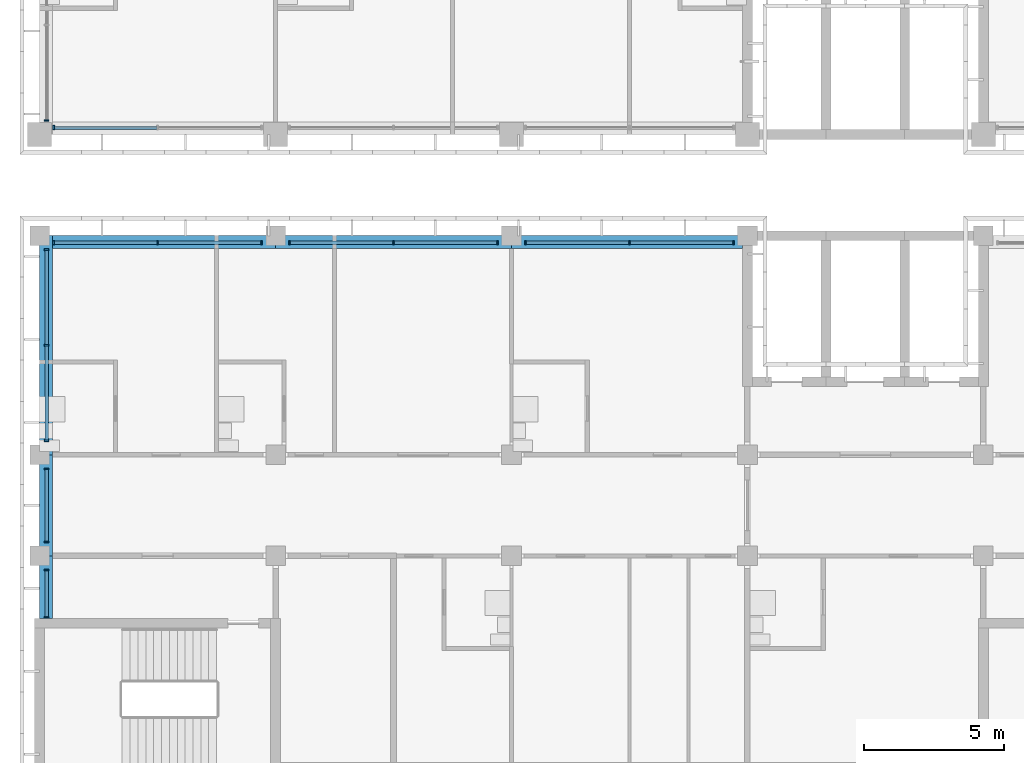
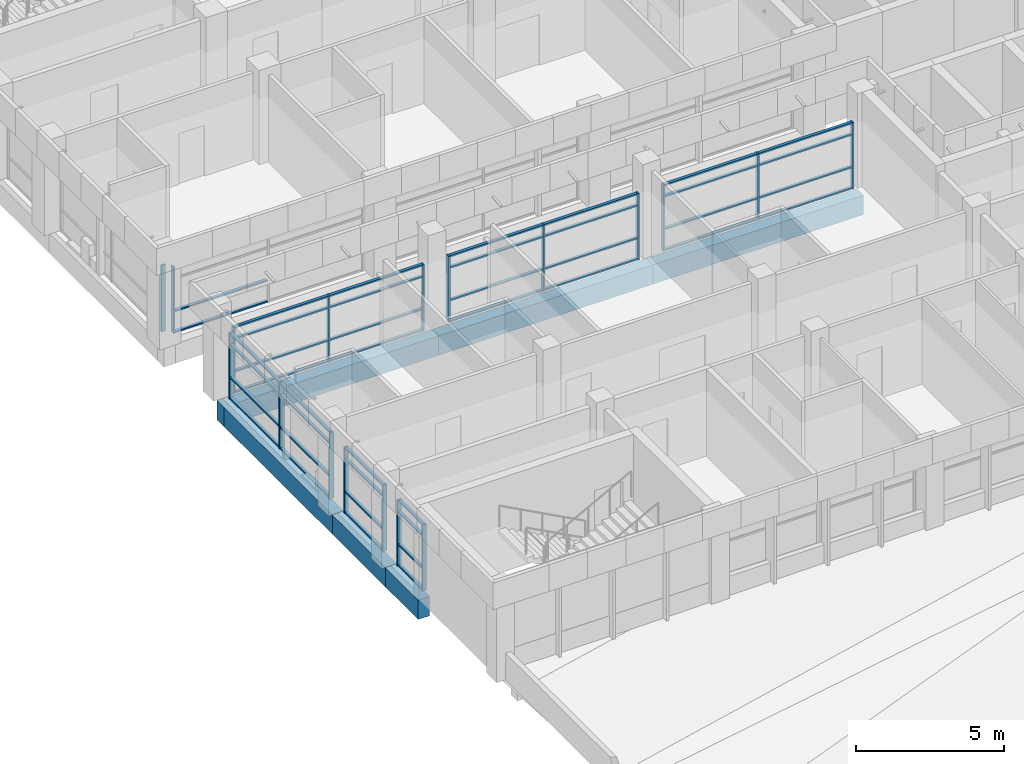
# One storey, part 4 of 74: 60 members, 6 beams, 8 elements without a shape of their own.
"""IFC4 building model written with IfcOpenShell, lengths in metres."""

from ifc_helpers import new_model, si_unit, direction, frame, origin, origin_2d, place, context, subcontext, project, spatial, rectangle, extrude, material, material_profile, profile_set, type_object, element, aggregate, save


model = new_model("IFC4")

# Units and contexts
model_context = context("Model", 3, precision=1e-05, world=origin(), true_north=direction((0.0, 1.0)))
body_context = subcontext(model_context, "Body", "Model", "MODEL_VIEW")
ifc_project = project(units=[si_unit("LENGTHUNIT", "METRE"), si_unit("AREAUNIT", "SQUARE_METRE"), si_unit("VOLUMEUNIT", "CUBIC_METRE"), si_unit("PLANEANGLEUNIT", "RADIAN"), si_unit("MASSUNIT", "GRAM", prefix="KILO")], contexts=[model_context])

# Site, building, storey
site_placement = place(None, origin())
site = spatial("IfcSite", under=ifc_project, at=site_placement, CompositionType="ELEMENT")
building_placement = place(site_placement, origin())
building = spatial("IfcBuilding", under=site, at=building_placement, Name="Bougainvillea Quay General Hospital", CompositionType="ELEMENT")
storey_placement = place(building_placement, frame((0.0, 0.0, 21.0)))
storey = spatial("IfcBuildingStorey", under=building, at=storey_placement, Name="L04", CompositionType="ELEMENT", Elevation=21.0)

# Curtain wall, member
ifc_material_1 = material(Name="Aluminium curtain wall system, powder-coated glazed", Category="aluminium")
curtain_wall_type_1 = type_object("IfcCurtainWallType", Name="Unitised curtain wall CW-3430", PredefinedType="NOTDEFINED", material=ifc_material_1)
curtain_wall_1_placement = place(storey_placement, origin())
curtain_wall_1 = element("IfcCurtainWall", 1, at=curtain_wall_1_placement, inside=storey, type_object=curtain_wall_type_1, Name="CW-4200 02", PredefinedType="NOTDEFINED")
ifc_material_2 = material(Name="Aluminium mullion, powder-coated charcoal", Category="aluminium")
ifc_material_profile_1 = material_profile(ifc_material_2, rectangle(XDim=0.159912109375, YDim=0.06005859375, at=origin_2d()))
ifc_profile_set_1 = profile_set([ifc_material_profile_1], Name="Aluminium mullion, powder-coated charcoal")
member_type_1 = type_object("IfcMemberType", Name="Curtain wall mullion 160x60", PredefinedType="MULLION", material=ifc_profile_set_1)
member_1_placement = place(storey_placement, frame((42.25, 140.89990234375, 0.0), z_axis=(0.0, 0.0, 1.0), x_axis=(1.0, 0.0, 0.0)))
member_1 = element("IfcMember", 2, at=member_1_placement, type_object=member_type_1, Name="CW-4200 mullion 3", PredefinedType="MULLION", context=body_context, shape_type="SweptSolid", body=[
    extrude(rectangle(XDim=0.159912109375, YDim=0.06005859375, at=origin_2d()), origin(), (0.0, 0.0, 1.0), 2.75),
])
aggregate(curtain_wall_1, [member_1])

curtain_wall_type_2 = type_object("IfcCurtainWallType", Name="Unitised curtain wall CW-3730", PredefinedType="NOTDEFINED", material=ifc_material_1)
curtain_wall_2_placement = place(storey_placement, origin())
curtain_wall_2 = element("IfcCurtainWall", 3, at=curtain_wall_2_placement, inside=storey, type_object=curtain_wall_type_2, Name="CW-4200 00", PredefinedType="NOTDEFINED")
member_2_placement = place(storey_placement, frame((42.5, 140.64990234375, 0.0), z_axis=(0.0, 0.0, 1.0), x_axis=(0.0, 1.0, 0.0)))
member_2 = element("IfcMember", 4, at=member_2_placement, type_object=member_type_1, Name="CW-4200 mullion 1", PredefinedType="MULLION", context=body_context, shape_type="SweptSolid", body=[
    extrude(rectangle(XDim=0.159912109375, YDim=0.06005859375, at=origin_2d()), origin(), (0.0, 0.0, 1.0), 2.75),
])

# Curtain wall, members
curtain_wall_3_placement = place(storey_placement, origin())
curtain_wall_3 = element("IfcCurtainWall", 5, at=curtain_wall_3_placement, inside=storey, type_object=curtain_wall_type_1, Name="CW-4200 00", PredefinedType="NOTDEFINED")
member_3_placement = place(storey_placement, frame((42.25, 136.300048828125, 0.0), z_axis=(0.0, 0.0, 1.0), x_axis=(1.0, 0.0, 0.0)))
member_3 = element("IfcMember", 6, at=member_3_placement, type_object=member_type_1, Name="CW-4200 mullion 1", PredefinedType="MULLION", context=body_context, shape_type="SweptSolid", body=[
    extrude(rectangle(XDim=0.159912109375, YDim=0.06005859375, at=origin_2d()), origin(), (0.0, 0.0, 1.0), 2.75),
])
member_4_placement = place(storey_placement, frame((42.25, 132.89990234375, 0.0), z_axis=(0.0, 0.0, 1.0), x_axis=(1.0, 0.0, 0.0)))
member_4 = element("IfcMember", 7, at=member_4_placement, type_object=member_type_1, Name="CW-4200 mullion 2", PredefinedType="MULLION", context=body_context, shape_type="SweptSolid", body=[
    extrude(rectangle(XDim=0.159912109375, YDim=0.06005859375, at=origin_2d()), origin(), (0.0, 0.0, 1.0), 2.75),
])
member_5_placement = place(storey_placement, frame((42.25, 129.5, 0.0), z_axis=(0.0, 0.0, 1.0), x_axis=(1.0, 0.0, 0.0)))
member_5 = element("IfcMember", 8, at=member_5_placement, type_object=member_type_1, Name="CW-4200 mullion 3", PredefinedType="MULLION", context=body_context, shape_type="SweptSolid", body=[
    extrude(rectangle(XDim=0.159912109375, YDim=0.06005859375, at=origin_2d()), origin(), (0.0, 0.0, 1.0), 2.75),
])

curtain_wall_type_3 = type_object("IfcCurtainWallType", Name="Unitised curtain wall CW-2660", PredefinedType="NOTDEFINED", material=ifc_material_1)
curtain_wall_4_placement = place(storey_placement, origin())
curtain_wall_4 = element("IfcCurtainWall", 9, at=curtain_wall_4_placement, inside=storey, type_object=curtain_wall_type_3, Name="CW-4200 01", PredefinedType="NOTDEFINED")
member_6_placement = place(storey_placement, frame((42.25, 128.5, 0.0), z_axis=(0.0, 0.0, 1.0), x_axis=(1.0, 0.0, 0.0)))
member_6 = element("IfcMember", 10, at=member_6_placement, type_object=member_type_1, Name="CW-4200 mullion 1", PredefinedType="MULLION", context=body_context, shape_type="SweptSolid", body=[
    extrude(rectangle(XDim=0.159912109375, YDim=0.06005859375, at=origin_2d()), origin(), (0.0, 0.0, 1.0), 2.75),
])
member_7_placement = place(storey_placement, frame((42.25, 125.89990234375, 0.0), z_axis=(0.0, 0.0, 1.0), x_axis=(1.0, 0.0, 0.0)))
member_7 = element("IfcMember", 11, at=member_7_placement, type_object=member_type_1, Name="CW-4200 mullion 2", PredefinedType="MULLION", context=body_context, shape_type="SweptSolid", body=[
    extrude(rectangle(XDim=0.159912109375, YDim=0.06005859375, at=origin_2d()), origin(), (0.0, 0.0, 1.0), 2.75),
])

curtain_wall_type_4 = type_object("IfcCurtainWallType", Name="Unitised curtain wall CW-1755", PredefinedType="NOTDEFINED", material=ifc_material_1)
curtain_wall_5_placement = place(storey_placement, origin())
curtain_wall_5 = element("IfcCurtainWall", 12, at=curtain_wall_5_placement, inside=storey, type_object=curtain_wall_type_4, Name="CW-4200 02", PredefinedType="NOTDEFINED")
member_8_placement = place(storey_placement, frame((42.25, 124.89990234375, 0.0), z_axis=(0.0, 0.0, 1.0), x_axis=(1.0, 0.0, 0.0)))
member_8 = element("IfcMember", 13, at=member_8_placement, type_object=member_type_1, Name="CW-4200 mullion 1", PredefinedType="MULLION", context=body_context, shape_type="SweptSolid", body=[
    extrude(rectangle(XDim=0.159912109375, YDim=0.06005859375, at=origin_2d()), origin(), (0.0, 0.0, 1.0), 2.75),
])
member_9_placement = place(storey_placement, frame((42.25, 123.205078125, 0.0), z_axis=(0.0, 0.0, 1.0), x_axis=(1.0, 0.0, 0.0)))
member_9 = element("IfcMember", 14, at=member_9_placement, type_object=member_type_1, Name="CW-4200 mullion 2", PredefinedType="MULLION", context=body_context, shape_type="SweptSolid", body=[
    extrude(rectangle(XDim=0.159912109375, YDim=0.06005859375, at=origin_2d()), origin(), (0.0, 0.0, 1.0), 2.75),
])

curtain_wall_6_placement = place(storey_placement, origin())
curtain_wall_6 = element("IfcCurtainWall", 15, at=curtain_wall_6_placement, inside=storey, type_object=curtain_wall_type_2, Name="CW-4200 00", PredefinedType="NOTDEFINED")
member_10_placement = place(storey_placement, frame((66.699951171875, 136.550048828125, 0.0), z_axis=(0.0, 0.0, 1.0), x_axis=(0.0, -1.0, 0.0)))
member_10 = element("IfcMember", 16, at=member_10_placement, type_object=member_type_1, Name="CW-4200 mullion 1", PredefinedType="MULLION", context=body_context, shape_type="SweptSolid", body=[
    extrude(rectangle(XDim=0.159912109375, YDim=0.06005859375, at=origin_2d()), origin(), (0.0, 0.0, 1.0), 2.75),
])
member_11_placement = place(storey_placement, frame((63.0, 136.550048828125, 0.0), z_axis=(0.0, 0.0, 1.0), x_axis=(0.0, -1.0, 0.0)))
member_11 = element("IfcMember", 17, at=member_11_placement, type_object=member_type_1, Name="CW-4200 mullion 2", PredefinedType="MULLION", context=body_context, shape_type="SweptSolid", body=[
    extrude(rectangle(XDim=0.159912109375, YDim=0.06005859375, at=origin_2d()), origin(), (0.0, 0.0, 1.0), 2.75),
])
member_12_placement = place(storey_placement, frame((59.300048828125, 136.550048828125, 0.0), z_axis=(0.0, 0.0, 1.0), x_axis=(0.0, -1.0, 0.0)))
member_12 = element("IfcMember", 18, at=member_12_placement, type_object=member_type_1, Name="CW-4200 mullion 3", PredefinedType="MULLION", context=body_context, shape_type="SweptSolid", body=[
    extrude(rectangle(XDim=0.159912109375, YDim=0.06005859375, at=origin_2d()), origin(), (0.0, 0.0, 1.0), 2.75),
])

curtain_wall_7_placement = place(storey_placement, origin())
curtain_wall_7 = element("IfcCurtainWall", 19, at=curtain_wall_7_placement, inside=storey, type_object=curtain_wall_type_2, Name="CW-4200 01", PredefinedType="NOTDEFINED")
member_13_placement = place(storey_placement, frame((58.300048828125, 136.550048828125, 0.0), z_axis=(0.0, 0.0, 1.0), x_axis=(0.0, -1.0, 0.0)))
member_13 = element("IfcMember", 20, at=member_13_placement, type_object=member_type_1, Name="CW-4200 mullion 1", PredefinedType="MULLION", context=body_context, shape_type="SweptSolid", body=[
    extrude(rectangle(XDim=0.159912109375, YDim=0.06005859375, at=origin_2d()), origin(), (0.0, 0.0, 1.0), 2.75),
])
member_14_placement = place(storey_placement, frame((54.60009765625, 136.550048828125, 0.0), z_axis=(0.0, 0.0, 1.0), x_axis=(0.0, -1.0, 0.0)))
member_14 = element("IfcMember", 21, at=member_14_placement, type_object=member_type_1, Name="CW-4200 mullion 2", PredefinedType="MULLION", context=body_context, shape_type="SweptSolid", body=[
    extrude(rectangle(XDim=0.159912109375, YDim=0.06005859375, at=origin_2d()), origin(), (0.0, 0.0, 1.0), 2.75),
])
member_15_placement = place(storey_placement, frame((50.89990234375, 136.550048828125, 0.0), z_axis=(0.0, 0.0, 1.0), x_axis=(0.0, -1.0, 0.0)))
member_15 = element("IfcMember", 22, at=member_15_placement, type_object=member_type_1, Name="CW-4200 mullion 3", PredefinedType="MULLION", context=body_context, shape_type="SweptSolid", body=[
    extrude(rectangle(XDim=0.159912109375, YDim=0.06005859375, at=origin_2d()), origin(), (0.0, 0.0, 1.0), 2.75),
])

curtain_wall_8_placement = place(storey_placement, origin())
curtain_wall_8 = element("IfcCurtainWall", 23, at=curtain_wall_8_placement, inside=storey, type_object=curtain_wall_type_2, Name="CW-4200 02", PredefinedType="NOTDEFINED")
member_16_placement = place(storey_placement, frame((49.89990234375, 136.550048828125, 0.0), z_axis=(0.0, 0.0, 1.0), x_axis=(0.0, -1.0, 0.0)))
member_16 = element("IfcMember", 24, at=member_16_placement, type_object=member_type_1, Name="CW-4200 mullion 1", PredefinedType="MULLION", context=body_context, shape_type="SweptSolid", body=[
    extrude(rectangle(XDim=0.159912109375, YDim=0.06005859375, at=origin_2d()), origin(), (0.0, 0.0, 1.0), 2.75),
])
member_17_placement = place(storey_placement, frame((46.199951171875, 136.550048828125, 0.0), z_axis=(0.0, 0.0, 1.0), x_axis=(0.0, -1.0, 0.0)))
member_17 = element("IfcMember", 25, at=member_17_placement, type_object=member_type_1, Name="CW-4200 mullion 2", PredefinedType="MULLION", context=body_context, shape_type="SweptSolid", body=[
    extrude(rectangle(XDim=0.159912109375, YDim=0.06005859375, at=origin_2d()), origin(), (0.0, 0.0, 1.0), 2.75),
])
member_18_placement = place(storey_placement, frame((42.5, 136.550048828125, 0.0), z_axis=(0.0, 0.0, 1.0), x_axis=(0.0, -1.0, 0.0)))
member_18 = element("IfcMember", 26, at=member_18_placement, type_object=member_type_1, Name="CW-4200 mullion 3", PredefinedType="MULLION", context=body_context, shape_type="SweptSolid", body=[
    extrude(rectangle(XDim=0.159912109375, YDim=0.06005859375, at=origin_2d()), origin(), (0.0, 0.0, 1.0), 2.75),
])

# Member
ifc_material_3 = material(Name="Aluminium transom, powder-coated charcoal", Category="aluminium")
ifc_material_profile_2 = material_profile(ifc_material_3, rectangle(XDim=0.1201171875, YDim=0.06005859375, at=origin_2d()))
ifc_profile_set_2 = profile_set([ifc_material_profile_2], Name="Aluminium transom, powder-coated charcoal")
member_type_2 = type_object("IfcMemberType", Name="Curtain wall transom 120x60", PredefinedType="USERDEFINED", material=ifc_profile_set_2)
member_19_placement = place(storey_placement, frame((42.530029296875, 140.64990234375, 0.030029296875), z_axis=(1.0, 0.0, 0.0), x_axis=(0.0, 1.0, 0.0)))
member_19 = element("IfcMember", 27, at=member_19_placement, type_object=member_type_2, Name="CW-4200 transom 1.1", ObjectType="TRANSOM", PredefinedType="USERDEFINED", context=body_context, shape_type="SweptSolid", body=[
    extrude(rectangle(XDim=0.1201171875, YDim=0.06005859375, at=origin_2d()), origin(), (0.0, 0.0, 1.0), 3.639892578125),
])

member_20_placement = place(storey_placement, frame((42.530029296875, 140.64990234375, 0.89990234375), z_axis=(1.0, 0.0, 0.0), x_axis=(0.0, 1.0, 0.0)))
member_20 = element("IfcMember", 28, at=member_20_placement, type_object=member_type_2, Name="CW-4200 transom 1.2", ObjectType="TRANSOM", PredefinedType="USERDEFINED", context=body_context, shape_type="SweptSolid", body=[
    extrude(rectangle(XDim=0.1201171875, YDim=0.06005859375, at=origin_2d()), origin(), (0.0, 0.0, 1.0), 3.639892578125),
])

aggregate(curtain_wall_2, [member_2, member_19, member_20])

member_21_placement = place(storey_placement, frame((42.25, 136.27001953125, 0.030029296875), z_axis=(0.0, -1.0, 0.0), x_axis=(1.0, 0.0, 0.0)))
member_21 = element("IfcMember", 29, at=member_21_placement, type_object=member_type_2, Name="CW-4200 transom 1.1", ObjectType="TRANSOM", PredefinedType="USERDEFINED", context=body_context, shape_type="SweptSolid", body=[
    extrude(rectangle(XDim=0.1201171875, YDim=0.06005859375, at=origin_2d()), origin(), (0.0, 0.0, 1.0), 3.340087890625),
])

member_22_placement = place(storey_placement, frame((42.25, 136.27001953125, 0.89990234375), z_axis=(0.0, -1.0, 0.0), x_axis=(1.0, 0.0, 0.0)))
member_22 = element("IfcMember", 30, at=member_22_placement, type_object=member_type_2, Name="CW-4200 transom 1.2", ObjectType="TRANSOM", PredefinedType="USERDEFINED", context=body_context, shape_type="SweptSolid", body=[
    extrude(rectangle(XDim=0.1201171875, YDim=0.06005859375, at=origin_2d()), origin(), (0.0, 0.0, 1.0), 3.340087890625),
])

member_23_placement = place(storey_placement, frame((42.25, 136.27001953125, 2.25), z_axis=(0.0, -1.0, 0.0), x_axis=(1.0, 0.0, 0.0)))
member_23 = element("IfcMember", 31, at=member_23_placement, type_object=member_type_2, Name="CW-4200 transom 1.3", ObjectType="TRANSOM", PredefinedType="USERDEFINED", context=body_context, shape_type="SweptSolid", body=[
    extrude(rectangle(XDim=0.1201171875, YDim=0.06005859375, at=origin_2d()), origin(), (0.0, 0.0, 1.0), 3.340087890625),
])

member_24_placement = place(storey_placement, frame((42.25, 136.27001953125, 2.719970703125), z_axis=(0.0, -1.0, 0.0), x_axis=(1.0, 0.0, 0.0)))
member_24 = element("IfcMember", 32, at=member_24_placement, type_object=member_type_2, Name="CW-4200 transom 1.4", ObjectType="TRANSOM", PredefinedType="USERDEFINED", context=body_context, shape_type="SweptSolid", body=[
    extrude(rectangle(XDim=0.1201171875, YDim=0.06005859375, at=origin_2d()), origin(), (0.0, 0.0, 1.0), 3.340087890625),
])

member_25_placement = place(storey_placement, frame((42.25, 132.8701171875, 0.030029296875), z_axis=(0.0, -1.0, 0.0), x_axis=(1.0, 0.0, 0.0)))
member_25 = element("IfcMember", 33, at=member_25_placement, type_object=member_type_2, Name="CW-4200 transom 2.1", ObjectType="TRANSOM", PredefinedType="USERDEFINED", context=body_context, shape_type="SweptSolid", body=[
    extrude(rectangle(XDim=0.1201171875, YDim=0.06005859375, at=origin_2d()), origin(), (0.0, 0.0, 1.0), 3.340087890625),
])

member_26_placement = place(storey_placement, frame((42.25, 132.8701171875, 0.89990234375), z_axis=(0.0, -1.0, 0.0), x_axis=(1.0, 0.0, 0.0)))
member_26 = element("IfcMember", 34, at=member_26_placement, type_object=member_type_2, Name="CW-4200 transom 2.2", ObjectType="TRANSOM", PredefinedType="USERDEFINED", context=body_context, shape_type="SweptSolid", body=[
    extrude(rectangle(XDim=0.1201171875, YDim=0.06005859375, at=origin_2d()), origin(), (0.0, 0.0, 1.0), 3.340087890625),
])

member_27_placement = place(storey_placement, frame((42.25, 132.8701171875, 2.25), z_axis=(0.0, -1.0, 0.0), x_axis=(1.0, 0.0, 0.0)))
member_27 = element("IfcMember", 35, at=member_27_placement, type_object=member_type_2, Name="CW-4200 transom 2.3", ObjectType="TRANSOM", PredefinedType="USERDEFINED", context=body_context, shape_type="SweptSolid", body=[
    extrude(rectangle(XDim=0.1201171875, YDim=0.06005859375, at=origin_2d()), origin(), (0.0, 0.0, 1.0), 3.340087890625),
])

member_28_placement = place(storey_placement, frame((42.25, 132.8701171875, 2.719970703125), z_axis=(0.0, -1.0, 0.0), x_axis=(1.0, 0.0, 0.0)))
member_28 = element("IfcMember", 36, at=member_28_placement, type_object=member_type_2, Name="CW-4200 transom 2.4", ObjectType="TRANSOM", PredefinedType="USERDEFINED", context=body_context, shape_type="SweptSolid", body=[
    extrude(rectangle(XDim=0.1201171875, YDim=0.06005859375, at=origin_2d()), origin(), (0.0, 0.0, 1.0), 3.340087890625),
])

aggregate(curtain_wall_3, [member_3, member_4, member_5, member_21, member_22, member_23, member_24, member_25, member_26, member_27, member_28])

member_29_placement = place(storey_placement, frame((42.25, 128.469970703125, 0.030029296875), z_axis=(0.0, -1.0, 0.0), x_axis=(1.0, 0.0, 0.0)))
member_29 = element("IfcMember", 37, at=member_29_placement, type_object=member_type_2, Name="CW-4200 transom 1.1", ObjectType="TRANSOM", PredefinedType="USERDEFINED", context=body_context, shape_type="SweptSolid", body=[
    extrude(rectangle(XDim=0.1201171875, YDim=0.06005859375, at=origin_2d()), origin(), (0.0, 0.0, 1.0), 2.5400390625),
])

member_30_placement = place(storey_placement, frame((42.25, 128.469970703125, 0.89990234375), z_axis=(0.0, -1.0, 0.0), x_axis=(1.0, 0.0, 0.0)))
member_30 = element("IfcMember", 38, at=member_30_placement, type_object=member_type_2, Name="CW-4200 transom 1.2", ObjectType="TRANSOM", PredefinedType="USERDEFINED", context=body_context, shape_type="SweptSolid", body=[
    extrude(rectangle(XDim=0.1201171875, YDim=0.06005859375, at=origin_2d()), origin(), (0.0, 0.0, 1.0), 2.5400390625),
])

member_31_placement = place(storey_placement, frame((42.25, 128.469970703125, 2.25), z_axis=(0.0, -1.0, 0.0), x_axis=(1.0, 0.0, 0.0)))
member_31 = element("IfcMember", 39, at=member_31_placement, type_object=member_type_2, Name="CW-4200 transom 1.3", ObjectType="TRANSOM", PredefinedType="USERDEFINED", context=body_context, shape_type="SweptSolid", body=[
    extrude(rectangle(XDim=0.1201171875, YDim=0.06005859375, at=origin_2d()), origin(), (0.0, 0.0, 1.0), 2.5400390625),
])

member_32_placement = place(storey_placement, frame((42.25, 128.469970703125, 2.719970703125), z_axis=(0.0, -1.0, 0.0), x_axis=(1.0, 0.0, 0.0)))
member_32 = element("IfcMember", 40, at=member_32_placement, type_object=member_type_2, Name="CW-4200 transom 1.4", ObjectType="TRANSOM", PredefinedType="USERDEFINED", context=body_context, shape_type="SweptSolid", body=[
    extrude(rectangle(XDim=0.1201171875, YDim=0.06005859375, at=origin_2d()), origin(), (0.0, 0.0, 1.0), 2.5400390625),
])

aggregate(curtain_wall_4, [member_6, member_7, member_29, member_30, member_31, member_32])

member_33_placement = place(storey_placement, frame((42.25, 124.8701171875, 0.030029296875), z_axis=(0.0, -1.0, 0.0), x_axis=(1.0, 0.0, 0.0)))
member_33 = element("IfcMember", 41, at=member_33_placement, type_object=member_type_2, Name="CW-4200 transom 1.1", ObjectType="TRANSOM", PredefinedType="USERDEFINED", context=body_context, shape_type="SweptSolid", body=[
    extrude(rectangle(XDim=0.1201171875, YDim=0.06005859375, at=origin_2d()), origin(), (0.0, 0.0, 1.0), 1.635009765625),
])

member_34_placement = place(storey_placement, frame((42.25, 124.8701171875, 0.89990234375), z_axis=(0.0, -1.0, 0.0), x_axis=(1.0, 0.0, 0.0)))
member_34 = element("IfcMember", 42, at=member_34_placement, type_object=member_type_2, Name="CW-4200 transom 1.2", ObjectType="TRANSOM", PredefinedType="USERDEFINED", context=body_context, shape_type="SweptSolid", body=[
    extrude(rectangle(XDim=0.1201171875, YDim=0.06005859375, at=origin_2d()), origin(), (0.0, 0.0, 1.0), 1.635009765625),
])

member_35_placement = place(storey_placement, frame((42.25, 124.8701171875, 2.25), z_axis=(0.0, -1.0, 0.0), x_axis=(1.0, 0.0, 0.0)))
member_35 = element("IfcMember", 43, at=member_35_placement, type_object=member_type_2, Name="CW-4200 transom 1.3", ObjectType="TRANSOM", PredefinedType="USERDEFINED", context=body_context, shape_type="SweptSolid", body=[
    extrude(rectangle(XDim=0.1201171875, YDim=0.06005859375, at=origin_2d()), origin(), (0.0, 0.0, 1.0), 1.635009765625),
])

member_36_placement = place(storey_placement, frame((42.25, 124.8701171875, 2.719970703125), z_axis=(0.0, -1.0, 0.0), x_axis=(1.0, 0.0, 0.0)))
member_36 = element("IfcMember", 44, at=member_36_placement, type_object=member_type_2, Name="CW-4200 transom 1.4", ObjectType="TRANSOM", PredefinedType="USERDEFINED", context=body_context, shape_type="SweptSolid", body=[
    extrude(rectangle(XDim=0.1201171875, YDim=0.06005859375, at=origin_2d()), origin(), (0.0, 0.0, 1.0), 1.635009765625),
])

aggregate(curtain_wall_5, [member_8, member_9, member_33, member_34, member_35, member_36])

member_37_placement = place(storey_placement, frame((66.669921875, 136.550048828125, 0.030029296875), z_axis=(-1.0, 0.0, 0.0), x_axis=(0.0, -1.0, 0.0)))
member_37 = element("IfcMember", 45, at=member_37_placement, type_object=member_type_2, Name="CW-4200 transom 1.1", ObjectType="TRANSOM", PredefinedType="USERDEFINED", context=body_context, shape_type="SweptSolid", body=[
    extrude(rectangle(XDim=0.1201171875, YDim=0.06005859375, at=origin_2d()), origin(), (0.0, 0.0, 1.0), 3.639892578125),
])

member_38_placement = place(storey_placement, frame((66.669921875, 136.550048828125, 0.89990234375), z_axis=(-1.0, 0.0, 0.0), x_axis=(0.0, -1.0, 0.0)))
member_38 = element("IfcMember", 46, at=member_38_placement, type_object=member_type_2, Name="CW-4200 transom 1.2", ObjectType="TRANSOM", PredefinedType="USERDEFINED", context=body_context, shape_type="SweptSolid", body=[
    extrude(rectangle(XDim=0.1201171875, YDim=0.06005859375, at=origin_2d()), origin(), (0.0, 0.0, 1.0), 3.639892578125),
])

member_39_placement = place(storey_placement, frame((66.669921875, 136.550048828125, 2.25), z_axis=(-1.0, 0.0, 0.0), x_axis=(0.0, -1.0, 0.0)))
member_39 = element("IfcMember", 47, at=member_39_placement, type_object=member_type_2, Name="CW-4200 transom 1.3", ObjectType="TRANSOM", PredefinedType="USERDEFINED", context=body_context, shape_type="SweptSolid", body=[
    extrude(rectangle(XDim=0.1201171875, YDim=0.06005859375, at=origin_2d()), origin(), (0.0, 0.0, 1.0), 3.639892578125),
])

member_40_placement = place(storey_placement, frame((66.669921875, 136.550048828125, 2.719970703125), z_axis=(-1.0, 0.0, 0.0), x_axis=(0.0, -1.0, 0.0)))
member_40 = element("IfcMember", 48, at=member_40_placement, type_object=member_type_2, Name="CW-4200 transom 1.4", ObjectType="TRANSOM", PredefinedType="USERDEFINED", context=body_context, shape_type="SweptSolid", body=[
    extrude(rectangle(XDim=0.1201171875, YDim=0.06005859375, at=origin_2d()), origin(), (0.0, 0.0, 1.0), 3.639892578125),
])

member_41_placement = place(storey_placement, frame((62.969970703125, 136.550048828125, 0.030029296875), z_axis=(-1.0, 0.0, 0.0), x_axis=(0.0, -1.0, 0.0)))
member_41 = element("IfcMember", 49, at=member_41_placement, type_object=member_type_2, Name="CW-4200 transom 2.1", ObjectType="TRANSOM", PredefinedType="USERDEFINED", context=body_context, shape_type="SweptSolid", body=[
    extrude(rectangle(XDim=0.1201171875, YDim=0.06005859375, at=origin_2d()), origin(), (0.0, 0.0, 1.0), 3.639892578125),
])

member_42_placement = place(storey_placement, frame((62.969970703125, 136.550048828125, 0.89990234375), z_axis=(-1.0, 0.0, 0.0), x_axis=(0.0, -1.0, 0.0)))
member_42 = element("IfcMember", 50, at=member_42_placement, type_object=member_type_2, Name="CW-4200 transom 2.2", ObjectType="TRANSOM", PredefinedType="USERDEFINED", context=body_context, shape_type="SweptSolid", body=[
    extrude(rectangle(XDim=0.1201171875, YDim=0.06005859375, at=origin_2d()), origin(), (0.0, 0.0, 1.0), 3.639892578125),
])

member_43_placement = place(storey_placement, frame((62.969970703125, 136.550048828125, 2.25), z_axis=(-1.0, 0.0, 0.0), x_axis=(0.0, -1.0, 0.0)))
member_43 = element("IfcMember", 51, at=member_43_placement, type_object=member_type_2, Name="CW-4200 transom 2.3", ObjectType="TRANSOM", PredefinedType="USERDEFINED", context=body_context, shape_type="SweptSolid", body=[
    extrude(rectangle(XDim=0.1201171875, YDim=0.06005859375, at=origin_2d()), origin(), (0.0, 0.0, 1.0), 3.639892578125),
])

member_44_placement = place(storey_placement, frame((62.969970703125, 136.550048828125, 2.719970703125), z_axis=(-1.0, 0.0, 0.0), x_axis=(0.0, -1.0, 0.0)))
member_44 = element("IfcMember", 52, at=member_44_placement, type_object=member_type_2, Name="CW-4200 transom 2.4", ObjectType="TRANSOM", PredefinedType="USERDEFINED", context=body_context, shape_type="SweptSolid", body=[
    extrude(rectangle(XDim=0.1201171875, YDim=0.06005859375, at=origin_2d()), origin(), (0.0, 0.0, 1.0), 3.639892578125),
])

aggregate(curtain_wall_6, [member_10, member_11, member_12, member_37, member_38, member_39, member_40, member_41, member_42, member_43, member_44])

member_45_placement = place(storey_placement, frame((58.27001953125, 136.550048828125, 0.030029296875), z_axis=(-1.0, 0.0, 0.0), x_axis=(0.0, -1.0, 0.0)))
member_45 = element("IfcMember", 53, at=member_45_placement, type_object=member_type_2, Name="CW-4200 transom 1.1", ObjectType="TRANSOM", PredefinedType="USERDEFINED", context=body_context, shape_type="SweptSolid", body=[
    extrude(rectangle(XDim=0.1201171875, YDim=0.06005859375, at=origin_2d()), origin(), (0.0, 0.0, 1.0), 3.64013671875),
])

member_46_placement = place(storey_placement, frame((58.27001953125, 136.550048828125, 0.89990234375), z_axis=(-1.0, 0.0, 0.0), x_axis=(0.0, -1.0, 0.0)))
member_46 = element("IfcMember", 54, at=member_46_placement, type_object=member_type_2, Name="CW-4200 transom 1.2", ObjectType="TRANSOM", PredefinedType="USERDEFINED", context=body_context, shape_type="SweptSolid", body=[
    extrude(rectangle(XDim=0.1201171875, YDim=0.06005859375, at=origin_2d()), origin(), (0.0, 0.0, 1.0), 3.64013671875),
])

member_47_placement = place(storey_placement, frame((58.27001953125, 136.550048828125, 2.25), z_axis=(-1.0, 0.0, 0.0), x_axis=(0.0, -1.0, 0.0)))
member_47 = element("IfcMember", 55, at=member_47_placement, type_object=member_type_2, Name="CW-4200 transom 1.3", ObjectType="TRANSOM", PredefinedType="USERDEFINED", context=body_context, shape_type="SweptSolid", body=[
    extrude(rectangle(XDim=0.1201171875, YDim=0.06005859375, at=origin_2d()), origin(), (0.0, 0.0, 1.0), 3.64013671875),
])

member_48_placement = place(storey_placement, frame((58.27001953125, 136.550048828125, 2.719970703125), z_axis=(-1.0, 0.0, 0.0), x_axis=(0.0, -1.0, 0.0)))
member_48 = element("IfcMember", 56, at=member_48_placement, type_object=member_type_2, Name="CW-4200 transom 1.4", ObjectType="TRANSOM", PredefinedType="USERDEFINED", context=body_context, shape_type="SweptSolid", body=[
    extrude(rectangle(XDim=0.1201171875, YDim=0.06005859375, at=origin_2d()), origin(), (0.0, 0.0, 1.0), 3.64013671875),
])

member_49_placement = place(storey_placement, frame((54.570068359375, 136.550048828125, 0.030029296875), z_axis=(-1.0, 0.0, 0.0), x_axis=(0.0, -1.0, 0.0)))
member_49 = element("IfcMember", 57, at=member_49_placement, type_object=member_type_2, Name="CW-4200 transom 2.1", ObjectType="TRANSOM", PredefinedType="USERDEFINED", context=body_context, shape_type="SweptSolid", body=[
    extrude(rectangle(XDim=0.1201171875, YDim=0.06005859375, at=origin_2d()), origin(), (0.0, 0.0, 1.0), 3.64013671875),
])

member_50_placement = place(storey_placement, frame((54.570068359375, 136.550048828125, 0.89990234375), z_axis=(-1.0, 0.0, 0.0), x_axis=(0.0, -1.0, 0.0)))
member_50 = element("IfcMember", 58, at=member_50_placement, type_object=member_type_2, Name="CW-4200 transom 2.2", ObjectType="TRANSOM", PredefinedType="USERDEFINED", context=body_context, shape_type="SweptSolid", body=[
    extrude(rectangle(XDim=0.1201171875, YDim=0.06005859375, at=origin_2d()), origin(), (0.0, 0.0, 1.0), 3.64013671875),
])

member_51_placement = place(storey_placement, frame((54.570068359375, 136.550048828125, 2.25), z_axis=(-1.0, 0.0, 0.0), x_axis=(0.0, -1.0, 0.0)))
member_51 = element("IfcMember", 59, at=member_51_placement, type_object=member_type_2, Name="CW-4200 transom 2.3", ObjectType="TRANSOM", PredefinedType="USERDEFINED", context=body_context, shape_type="SweptSolid", body=[
    extrude(rectangle(XDim=0.1201171875, YDim=0.06005859375, at=origin_2d()), origin(), (0.0, 0.0, 1.0), 3.64013671875),
])

member_52_placement = place(storey_placement, frame((54.570068359375, 136.550048828125, 2.719970703125), z_axis=(-1.0, 0.0, 0.0), x_axis=(0.0, -1.0, 0.0)))
member_52 = element("IfcMember", 60, at=member_52_placement, type_object=member_type_2, Name="CW-4200 transom 2.4", ObjectType="TRANSOM", PredefinedType="USERDEFINED", context=body_context, shape_type="SweptSolid", body=[
    extrude(rectangle(XDim=0.1201171875, YDim=0.06005859375, at=origin_2d()), origin(), (0.0, 0.0, 1.0), 3.64013671875),
])

aggregate(curtain_wall_7, [member_13, member_14, member_15, member_45, member_46, member_47, member_48, member_49, member_50, member_51, member_52])

member_53_placement = place(storey_placement, frame((49.8701171875, 136.550048828125, 0.030029296875), z_axis=(-1.0, 0.0, 0.0), x_axis=(0.0, -1.0, 0.0)))
member_53 = element("IfcMember", 61, at=member_53_placement, type_object=member_type_2, Name="CW-4200 transom 1.1", ObjectType="TRANSOM", PredefinedType="USERDEFINED", context=body_context, shape_type="SweptSolid", body=[
    extrude(rectangle(XDim=0.1201171875, YDim=0.06005859375, at=origin_2d()), origin(), (0.0, 0.0, 1.0), 3.64013671875),
])

member_54_placement = place(storey_placement, frame((49.8701171875, 136.550048828125, 0.89990234375), z_axis=(-1.0, 0.0, 0.0), x_axis=(0.0, -1.0, 0.0)))
member_54 = element("IfcMember", 62, at=member_54_placement, type_object=member_type_2, Name="CW-4200 transom 1.2", ObjectType="TRANSOM", PredefinedType="USERDEFINED", context=body_context, shape_type="SweptSolid", body=[
    extrude(rectangle(XDim=0.1201171875, YDim=0.06005859375, at=origin_2d()), origin(), (0.0, 0.0, 1.0), 3.64013671875),
])

member_55_placement = place(storey_placement, frame((49.8701171875, 136.550048828125, 2.25), z_axis=(-1.0, 0.0, 0.0), x_axis=(0.0, -1.0, 0.0)))
member_55 = element("IfcMember", 63, at=member_55_placement, type_object=member_type_2, Name="CW-4200 transom 1.3", ObjectType="TRANSOM", PredefinedType="USERDEFINED", context=body_context, shape_type="SweptSolid", body=[
    extrude(rectangle(XDim=0.1201171875, YDim=0.06005859375, at=origin_2d()), origin(), (0.0, 0.0, 1.0), 3.64013671875),
])

member_56_placement = place(storey_placement, frame((49.8701171875, 136.550048828125, 2.719970703125), z_axis=(-1.0, 0.0, 0.0), x_axis=(0.0, -1.0, 0.0)))
member_56 = element("IfcMember", 64, at=member_56_placement, type_object=member_type_2, Name="CW-4200 transom 1.4", ObjectType="TRANSOM", PredefinedType="USERDEFINED", context=body_context, shape_type="SweptSolid", body=[
    extrude(rectangle(XDim=0.1201171875, YDim=0.06005859375, at=origin_2d()), origin(), (0.0, 0.0, 1.0), 3.64013671875),
])

member_57_placement = place(storey_placement, frame((46.169921875, 136.550048828125, 0.030029296875), z_axis=(-1.0, 0.0, 0.0), x_axis=(0.0, -1.0, 0.0)))
member_57 = element("IfcMember", 65, at=member_57_placement, type_object=member_type_2, Name="CW-4200 transom 2.1", ObjectType="TRANSOM", PredefinedType="USERDEFINED", context=body_context, shape_type="SweptSolid", body=[
    extrude(rectangle(XDim=0.1201171875, YDim=0.06005859375, at=origin_2d()), origin(), (0.0, 0.0, 1.0), 3.639892578125),
])

member_58_placement = place(storey_placement, frame((46.169921875, 136.550048828125, 0.89990234375), z_axis=(-1.0, 0.0, 0.0), x_axis=(0.0, -1.0, 0.0)))
member_58 = element("IfcMember", 66, at=member_58_placement, type_object=member_type_2, Name="CW-4200 transom 2.2", ObjectType="TRANSOM", PredefinedType="USERDEFINED", context=body_context, shape_type="SweptSolid", body=[
    extrude(rectangle(XDim=0.1201171875, YDim=0.06005859375, at=origin_2d()), origin(), (0.0, 0.0, 1.0), 3.639892578125),
])

member_59_placement = place(storey_placement, frame((46.169921875, 136.550048828125, 2.25), z_axis=(-1.0, 0.0, 0.0), x_axis=(0.0, -1.0, 0.0)))
member_59 = element("IfcMember", 67, at=member_59_placement, type_object=member_type_2, Name="CW-4200 transom 2.3", ObjectType="TRANSOM", PredefinedType="USERDEFINED", context=body_context, shape_type="SweptSolid", body=[
    extrude(rectangle(XDim=0.1201171875, YDim=0.06005859375, at=origin_2d()), origin(), (0.0, 0.0, 1.0), 3.639892578125),
])

member_60_placement = place(storey_placement, frame((46.169921875, 136.550048828125, 2.719970703125), z_axis=(-1.0, 0.0, 0.0), x_axis=(0.0, -1.0, 0.0)))
member_60 = element("IfcMember", 68, at=member_60_placement, type_object=member_type_2, Name="CW-4200 transom 2.4", ObjectType="TRANSOM", PredefinedType="USERDEFINED", context=body_context, shape_type="SweptSolid", body=[
    extrude(rectangle(XDim=0.1201171875, YDim=0.06005859375, at=origin_2d()), origin(), (0.0, 0.0, 1.0), 3.639892578125),
])

aggregate(curtain_wall_8, [member_16, member_17, member_18, member_53, member_54, member_55, member_56, member_57, member_58, member_59, member_60])

# Beams
ifc_material_4 = material(Name="Concrete C40", Category="concrete")
ifc_material_profile_3 = material_profile(ifc_material_4, rectangle(XDim=0.449951171875, YDim=0.800048828125, at=origin_2d()))
ifc_profile_set_3 = profile_set([ifc_material_profile_3], Name="Concrete C40")
beam_type = type_object("IfcBeamType", Name="RC BEAM 450x800 C40", PredefinedType="BEAM", material=ifc_profile_set_3)
beam_1_placement = place(storey_placement, frame((42.22509765625, 136.800048828125, -0.699951171875), z_axis=(0.0, -1.0, 0.0), x_axis=(1.0, 0.0, 0.0)))
element("IfcBeam", 69, at=beam_1_placement, inside=storey, type_object=beam_type, Name="Edge beam L04", PredefinedType="BEAM", context=body_context, shape_type="SweptSolid", body=[
    extrude(rectangle(XDim=0.449951171875, YDim=0.800048828125, at=origin_2d()), origin(), (0.0, 0.0, 1.0), 7.800048828125),
])
beam_2_placement = place(storey_placement, frame((42.22509765625, 129.0, -0.699951171875), z_axis=(0.0, -1.0, 0.0), x_axis=(1.0, 0.0, 0.0)))
element("IfcBeam", 70, at=beam_2_placement, inside=storey, type_object=beam_type, Name="Edge beam L04", PredefinedType="BEAM", context=body_context, shape_type="SweptSolid", body=[
    extrude(rectangle(XDim=0.449951171875, YDim=0.800048828125, at=origin_2d()), origin(), (0.0, 0.0, 1.0), 3.60009765625),
])
beam_3_placement = place(storey_placement, frame((42.22509765625, 125.39990234375, -0.699951171875), z_axis=(0.0, -1.0, 0.0), x_axis=(1.0, 0.0, 0.0)))
element("IfcBeam", 71, at=beam_3_placement, inside=storey, type_object=beam_type, Name="Edge beam L04", PredefinedType="BEAM", context=body_context, shape_type="SweptSolid", body=[
    extrude(rectangle(XDim=0.449951171875, YDim=0.800048828125, at=origin_2d()), origin(), (0.0, 0.0, 1.0), 2.224853515625),
])
beam_4_placement = place(storey_placement, frame((67.02490234375, 136.574951171875, -0.699951171875), z_axis=(-1.0, 0.0, 0.0), x_axis=(0.0, -1.0, 0.0)))
element("IfcBeam", 72, at=beam_4_placement, inside=storey, type_object=beam_type, Name="Edge beam L04", PredefinedType="BEAM", context=body_context, shape_type="SweptSolid", body=[
    extrude(rectangle(XDim=0.449951171875, YDim=0.800048828125, at=origin_2d()), origin(), (0.0, 0.0, 1.0), 8.224853515625),
])
beam_5_placement = place(storey_placement, frame((58.800048828125, 136.574951171875, -0.699951171875), z_axis=(-1.0, 0.0, 0.0), x_axis=(0.0, -1.0, 0.0)))
element("IfcBeam", 73, at=beam_5_placement, inside=storey, type_object=beam_type, Name="Edge beam L04", PredefinedType="BEAM", context=body_context, shape_type="SweptSolid", body=[
    extrude(rectangle(XDim=0.449951171875, YDim=0.800048828125, at=origin_2d()), origin(), (0.0, 0.0, 1.0), 8.400146484375),
])
beam_6_placement = place(storey_placement, frame((50.39990234375, 136.574951171875, -0.699951171875), z_axis=(-1.0, 0.0, 0.0), x_axis=(0.0, -1.0, 0.0)))
element("IfcBeam", 74, at=beam_6_placement, inside=storey, type_object=beam_type, Name="Edge beam L04", PredefinedType="BEAM", context=body_context, shape_type="SweptSolid", body=[
    extrude(rectangle(XDim=0.449951171875, YDim=0.800048828125, at=origin_2d()), origin(), (0.0, 0.0, 1.0), 8.39990234375),
])

save(model, "model.ifc")
